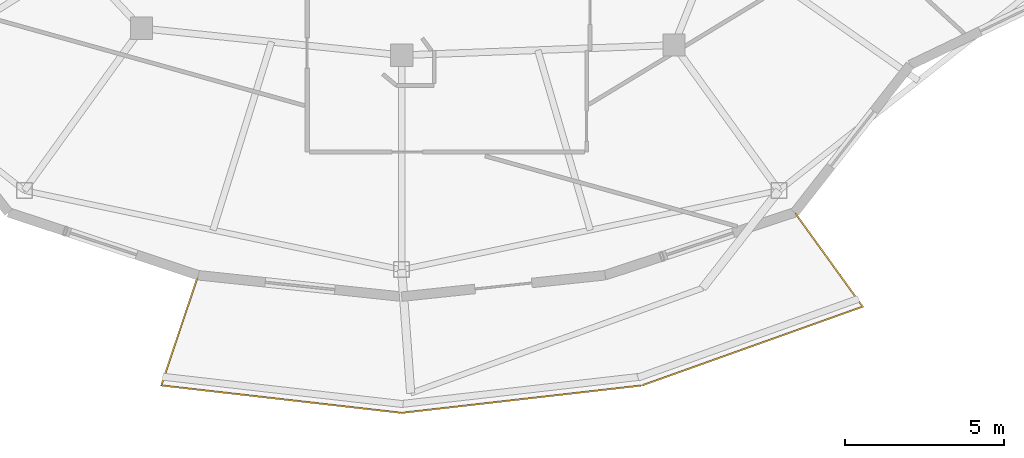
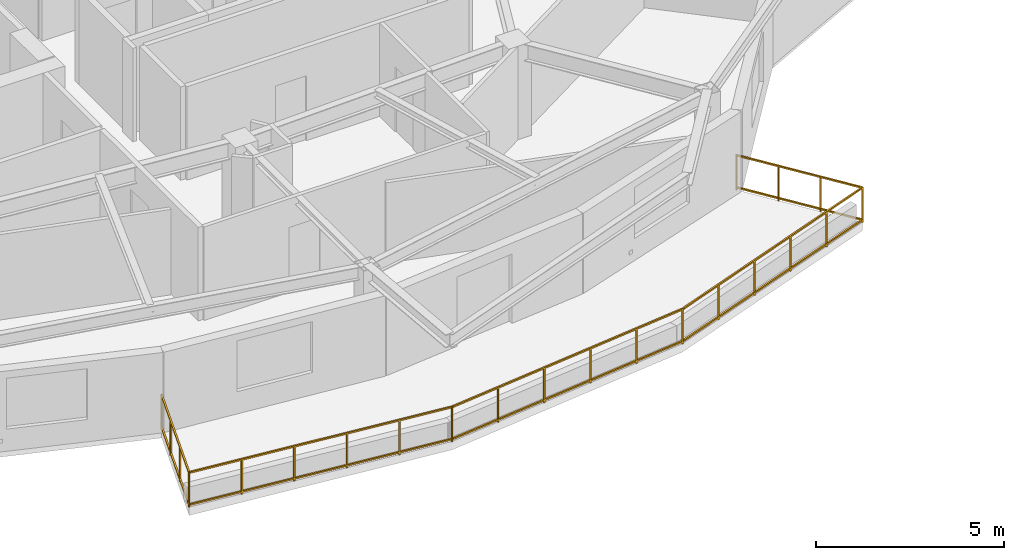
# One storey, part 11 of 14: 1 railing.
"""IFC4 building model written with IfcOpenShell, lengths in metres."""

import ifcopenshell
import ifcopenshell.guid

model = None  # the IFC model being written
_history = None  # IfcOwnerHistory: only IFC2X3 demands one
_inside = {}  # id of a spatial element -> (the spatial element, [elements in it])
_under = {}  # id of a project, library or spatial element -> (it, [spatial elements below it])
_declared = {}  # id of a project -> (the project, [libraries it declares])
_typed = {}  # id of a type object -> (the type object, [elements of that type])
_made_of = {}  # id of a material, layer set ... -> (it, [elements and type objects made of it])


def new_model(schema):
    """Start an empty IFC model of exactly this schema.

    Asked for "IFC4X3", IfcOpenShell would pick the latest addendum, in which some entities
    have other attributes; the version numbers below select the first issue.
    IFC2X3 requires an IfcOwnerHistory on every rooted entity: one is made here for all.
    """
    global model, _history
    if schema == "IFC4X3":
        model = ifcopenshell.file(schema_version=(4, 3, 0, 0))
    else:
        model = ifcopenshell.file(schema=schema)
    _inside.clear()
    _under.clear()
    _declared.clear()
    _typed.clear()
    _made_of.clear()
    _history = None
    if model.schema == "IFC2X3":
        org = make("IfcOrganization", Name="unknown")
        user = make(
            "IfcPersonAndOrganization",
            ThePerson=make("IfcPerson", FamilyName="unknown"),
            TheOrganization=org,
        )
        app = make(
            "IfcApplication",
            ApplicationDeveloper=org,
            Version="unknown",
            ApplicationFullName="unknown",
            ApplicationIdentifier="unknown",
        )
        _history = make(
            "IfcOwnerHistory",
            OwningUser=user,
            OwningApplication=app,
            ChangeAction="ADDED",
            CreationDate=0,
        )
    return model


def make(cls, **values):
    """One entity of the class cls with the attributes given. An attribute that is None is left unset."""
    return model.create_entity(
        cls, **{name: value for name, value in values.items() if value is not None}
    )


def rooted(cls, **values):
    """An entity with a GlobalId (a new one), such as an element, a storey or a relation."""
    return make(cls, GlobalId=ifcopenshell.guid.new(), OwnerHistory=_history, **values)


def si_unit(unit_type, name, prefix=None):
    """IfcSIUnit, for example si_unit("LENGTHUNIT", "METRE", prefix="MILLI")."""
    return make("IfcSIUnit", UnitType=unit_type, Prefix=prefix, Name=name)


def assignment(units):
    """IfcUnitAssignment: the units of a project."""
    return None if units is None else make("IfcUnitAssignment", Units=units)


def point(xyz):
    """IfcCartesianPoint."""
    return None if xyz is None else make("IfcCartesianPoint", Coordinates=xyz)


def direction(xyz):
    """IfcDirection."""
    return None if xyz is None else make("IfcDirection", DirectionRatios=xyz)


def frame(location, z_axis=None, x_axis=None):
    """IfcAxis2Placement3D, a coordinate frame: its origin and axes. An axis left out is left unset."""
    return make(
        "IfcAxis2Placement3D",
        Location=point(location),
        Axis=direction(z_axis),
        RefDirection=direction(x_axis),
    )


def frame_2d(location, x_axis=None):
    """IfcAxis2Placement2D, a coordinate frame in the plane: its origin and x axis."""
    return make(
        "IfcAxis2Placement2D", Location=point(location), RefDirection=direction(x_axis)
    )


def origin():
    """The frame at (0, 0, 0) with its axes left unset."""
    return frame((0.0, 0.0, 0.0))


def origin_2d():
    """The frame at (0, 0) in the plane with its x axis left unset."""
    return frame_2d((0.0, 0.0))


def place(relative_to, where):
    """IfcLocalPlacement: puts the frame where relative to a parent placement (None: the world)."""
    return make(
        "IfcLocalPlacement", PlacementRelTo=relative_to, RelativePlacement=where
    )


def context(
    kind, dimensions, precision=None, world=None, true_north=None, identifier=None
):
    """IfcGeometricRepresentationContext, for example the 3D "Model" context."""
    return make(
        "IfcGeometricRepresentationContext",
        ContextIdentifier=identifier,
        ContextType=kind,
        CoordinateSpaceDimension=dimensions,
        Precision=precision,
        WorldCoordinateSystem=world,
        TrueNorth=true_north,
    )


def subcontext(parent, identifier, kind, view, scale=None):
    """IfcGeometricRepresentationSubContext, for example "Body" below "Model"."""
    return make(
        "IfcGeometricRepresentationSubContext",
        ContextIdentifier=identifier,
        ContextType=kind,
        ParentContext=parent,
        TargetScale=scale,
        TargetView=view,
    )


def project(units=None, contexts=None):
    """IfcProject with its units and contexts."""
    return rooted(
        "IfcProject",
        Name="project",
        RepresentationContexts=contexts,
        UnitsInContext=assignment(units),
    )


def spatial(cls, under=None, at=None, **own):
    """A site, building, storey or space (cls), placed at a placement, below another one or the project."""
    s = rooted(cls, ObjectPlacement=at, **own)
    if under is not None:
        _under.setdefault(under.id(), (under, []))[1].append(s)
    return s


def profile(cls, at=None, kind="AREA", **sizes):
    """A parametric profile (cls). Its sizes go by their IFC names, for example OverallWidth=200.0."""
    return make(cls, ProfileType=kind, Position=at, **sizes)


def rectangle(**sizes):
    """IfcRectangleProfileDef."""
    return profile("IfcRectangleProfileDef", **sizes)


def extrude(swept, where, along, depth):
    """IfcExtrudedAreaSolid: the profile swept, set in the frame where, extruded along a direction by depth."""
    return make(
        "IfcExtrudedAreaSolid",
        SweptArea=swept,
        Position=where,
        ExtrudedDirection=direction(along),
        Depth=depth,
    )


def shape(context_of_items, identifier, shape_type, items):
    """IfcShapeRepresentation: the items that make up one representation, for example the "Body"."""
    return make(
        "IfcShapeRepresentation",
        ContextOfItems=context_of_items,
        RepresentationIdentifier=identifier,
        RepresentationType=shape_type,
        Items=items,
    )


def material(Name=None, Category=None):
    """IfcMaterial."""
    return make("IfcMaterial", Name=Name, Category=Category)


def made_of(thing, what):
    """Note that an element or type object is made of a material, layer set ...; save() writes the relation."""
    if what is not None:
        _made_of.setdefault(what.id(), (what, []))[1].append(thing)
    return thing


def type_object(cls, material=None, **own):
    """A type object (cls), such as IfcWallType, which elements share."""
    return made_of(rooted(cls, **own), material)


def element(
    cls,
    number,
    at=None,
    inside=None,
    cuts=None,
    type_object=None,
    material=None,
    context=None,
    identifier="Body",
    shape_type=None,
    held_by="IfcProductDefinitionShape",
    body=None,
    shapes=None,
    **own,
):
    """One element of the class cls, such as IfcWall. Its Tag is "e" and its number.

    at: its placement. inside: the storey or other place that contains it. cuts: it is an
    opening in that element (IfcRelVoidsElement). A single representation is given by context,
    identifier, shape_type and body (its items); several are given by shapes. held_by: the class
    of the entity that holds the representations. save() writes the other relations.
    """
    e = rooted(cls, Tag="e%d" % number, ObjectPlacement=at, **own)
    if body is not None:
        shapes = [shape(context, identifier, shape_type, body)]
    if shapes is not None:
        e.Representation = make(held_by, Representations=shapes)
    if inside is not None:
        _inside.setdefault(inside.id(), (inside, []))[1].append(e)
    if cuts is not None:
        rooted(
            "IfcRelVoidsElement", RelatingBuildingElement=cuts, RelatedOpeningElement=e
        )
    if type_object is not None:
        _typed.setdefault(type_object.id(), (type_object, []))[1].append(e)
    return made_of(e, material)


def aggregate(whole, parts):
    """IfcRelAggregates: a whole, such as a stair, and the parts it consists of."""
    return rooted("IfcRelAggregates", RelatingObject=whole, RelatedObjects=parts)


def save(model, path):
    """Write the relations noted so far, then the file.

    IfcRelAggregates (storeys below a building ...), IfcRelContainedInSpatialStructure (elements
    in a storey), IfcRelDefinesByType, IfcRelAssociatesMaterial and IfcRelDeclares: one each for
    every whole, place, type object, material and project.
    """
    for whole, parts in _under.values():
        aggregate(whole, parts)
    for where, things in _inside.values():
        rooted(
            "IfcRelContainedInSpatialStructure",
            RelatedElements=things,
            RelatingStructure=where,
        )
    for kind, things in _typed.values():
        rooted("IfcRelDefinesByType", RelatedObjects=things, RelatingType=kind)
    for what, things in _made_of.values():
        rooted("IfcRelAssociatesMaterial", RelatedObjects=things, RelatingMaterial=what)
    for by, libraries in _declared.values():
        rooted("IfcRelDeclares", RelatingContext=by, RelatedDefinitions=libraries)
    model.write(path)


model = new_model("IFC4")

# Units and contexts
model_context = context("Model", 3, precision=1e-05, world=origin(), true_north=direction((0.0, 1.0)))
body_context = subcontext(model_context, "Body", "Model", "MODEL_VIEW")
ifc_project = project(units=[si_unit("LENGTHUNIT", "METRE"), si_unit("AREAUNIT", "SQUARE_METRE"), si_unit("VOLUMEUNIT", "CUBIC_METRE"), si_unit("PLANEANGLEUNIT", "RADIAN"), si_unit("MASSUNIT", "GRAM", prefix="KILO")], contexts=[model_context])

# Site, building, storey
site_placement = place(None, origin())
site = spatial("IfcSite", under=ifc_project, at=site_placement, CompositionType="ELEMENT")
building_placement = place(site_placement, origin())
building = spatial("IfcBuilding", under=site, at=building_placement, Name="Kolvaren Gate Tower and Convention Centre", CompositionType="ELEMENT")
storey_placement = place(building_placement, frame((0.0, 0.0, 222.800048828125)))
storey = spatial("IfcBuildingStorey", under=building, at=storey_placement, Name="L59", CompositionType="ELEMENT", Elevation=222.800048828125)

# Railing
ifc_material = material(Name="Brushed Stainless Steel Grade 316L", Category="steel")
railing_type = type_object("IfcRailingType", Name="ARCH-RL-GUARD-1150", PredefinedType="GUARDRAIL", material=ifc_material)
railing_placement = place(storey_placement, frame((23.71923828125, 7.874755859375, 0.0)))
element("IfcRailing", 1, at=railing_placement, inside=storey, type_object=railing_type, Name="Tower L59 Terrace Perimeter Guardrail GR-3", PredefinedType="GUARDRAIL", context=body_context, shape_type="SweptSolid", body=[
    extrude(rectangle(XDim=0.048095703125, YDim=0.048095703125, at=origin_2d()), frame((-0.0087890625, -0.026611328125, 1.1259765625), z_axis=(-0.317588247294, -0.948228719867, 0.0), x_axis=(0.948228719867, -0.317588247294, 0.0)), (0.0, 0.0, 1.0), 3.603759765625),
    extrude(rectangle(XDim=0.048095703125, YDim=0.048095703125, at=origin_2d()), frame((-0.0087890625, -0.026611328125, 0.083984375), z_axis=(-0.317588247294, -0.948228719867, 0.0), x_axis=(0.948228719867, -0.317588247294, 0.0)), (0.0, 0.0, 1.0), 3.603759765625),
    extrude(rectangle(XDim=0.048095703125, YDim=0.048095703125, at=origin_2d()), frame((-1.134521484375, -3.4736328125, 1.1259765625), z_axis=(0.993542586276, -0.113459813395, 0.0), x_axis=(0.113459813395, 0.993542586276, 0.0)), (0.0, 0.0, 1.0), 7.561279296875),
    extrude(rectangle(XDim=0.048095703125, YDim=0.048095703125, at=origin_2d()), frame((-1.134521484375, -3.4736328125, 0.083984375), z_axis=(0.993542586276, -0.113459813395, 0.0), x_axis=(0.113459813395, 0.993542586276, 0.0)), (0.0, 0.0, 1.0), 7.561279296875),
    extrude(rectangle(XDim=0.048095703125, YDim=0.048095703125, at=origin_2d()), frame((6.43359375, -4.33154296875, 1.1259765625), z_axis=(0.993542586276, 0.113459813395, 0.0), x_axis=(-0.113459813395, 0.993542586276, 0.0)), (0.0, 0.0, 1.0), 7.561279296875),
    extrude(rectangle(XDim=0.048095703125, YDim=0.048095703125, at=origin_2d()), frame((6.43359375, -4.33154296875, 0.083984375), z_axis=(0.993542586276, 0.113459813395, 0.0), x_axis=(-0.113459813395, 0.993542586276, 0.0)), (0.0, 0.0, 1.0), 7.561279296875),
    extrude(rectangle(XDim=0.048095703125, YDim=0.048095703125, at=origin_2d()), frame((14.000244140625, -3.4609375, 1.1259765625), z_axis=(0.941783827204, 0.336219010197, 0.0), x_axis=(-0.336219010197, 0.941783827204, 0.0)), (0.0, 0.0, 1.0), 7.322265625),
    extrude(rectangle(XDim=0.048095703125, YDim=0.048095703125, at=origin_2d()), frame((14.000244140625, -3.4609375, 0.083984375), z_axis=(0.941783827204, 0.336219010197, 0.0), x_axis=(-0.336219010197, 0.941783827204, 0.0)), (0.0, 0.0, 1.0), 7.322265625),
    extrude(rectangle(XDim=0.048095703125, YDim=0.048095703125, at=origin_2d()), frame((20.90625, -0.967041015625, 1.1259765625), z_axis=(-0.585212870465, 0.810879705161, 0.0), x_axis=(-0.810879705161, -0.585212870465, 0.0)), (0.0, 0.0, 1.0), 3.603759765625),
    extrude(rectangle(XDim=0.048095703125, YDim=0.048095703125, at=origin_2d()), frame((20.90625, -0.967041015625, 0.083984375), z_axis=(-0.585212870465, 0.810879705161, 0.0), x_axis=(-0.810879705161, -0.585212870465, 0.0)), (0.0, 0.0, 1.0), 3.603759765625),
    extrude(rectangle(XDim=0.0419921875, YDim=0.0419921875, at=origin_2d()), origin(), (0.0, 0.0, 1.0), 1.14990234375),
    extrude(rectangle(XDim=0.0419921875, YDim=0.0419921875, at=origin_2d()), frame((-1.162353515625, -3.470458984375, 0.0)), (0.0, 0.0, 1.0), 1.14990234375),
    extrude(rectangle(XDim=0.0419921875, YDim=0.0419921875, at=origin_2d()), frame((-0.387451171875, -1.15673828125, 0.0)), (0.0, 0.0, 1.0), 1.099853515625),
    extrude(rectangle(XDim=0.0419921875, YDim=0.0419921875, at=origin_2d()), frame((-0.77490234375, -2.313720703125, 0.0)), (0.0, 0.0, 1.0), 1.099853515625),
    extrude(rectangle(XDim=0.0419921875, YDim=0.0419921875, at=origin_2d()), frame((6.40576171875, -4.334716796875, 0.0)), (0.0, 0.0, 1.0), 1.14990234375),
    extrude(rectangle(XDim=0.0419921875, YDim=0.0419921875, at=origin_2d()), frame((0.351318359375, -3.643310546875, 0.0)), (0.0, 0.0, 1.0), 1.099853515625),
    extrude(rectangle(XDim=0.0419921875, YDim=0.0419921875, at=origin_2d()), frame((1.864990234375, -3.816162109375, 0.0)), (0.0, 0.0, 1.0), 1.099853515625),
    extrude(rectangle(XDim=0.0419921875, YDim=0.0419921875, at=origin_2d()), frame((3.37841796875, -3.989013671875, 0.0)), (0.0, 0.0, 1.0), 1.099853515625),
    extrude(rectangle(XDim=0.0419921875, YDim=0.0419921875, at=origin_2d()), frame((4.89208984375, -4.161865234375, 0.0)), (0.0, 0.0, 1.0), 1.099853515625),
    extrude(rectangle(XDim=0.0419921875, YDim=0.0419921875, at=origin_2d()), frame((13.973876953125, -3.470458984375, 0.0)), (0.0, 0.0, 1.0), 1.14990234375),
    extrude(rectangle(XDim=0.0419921875, YDim=0.0419921875, at=origin_2d()), frame((7.91943359375, -4.161865234375, 0.0)), (0.0, 0.0, 1.0), 1.099853515625),
    extrude(rectangle(XDim=0.0419921875, YDim=0.0419921875, at=origin_2d()), frame((9.43310546875, -3.989013671875, 0.0)), (0.0, 0.0, 1.0), 1.099853515625),
    extrude(rectangle(XDim=0.0419921875, YDim=0.0419921875, at=origin_2d()), frame((10.946533203125, -3.816162109375, 0.0)), (0.0, 0.0, 1.0), 1.099853515625),
    extrude(rectangle(XDim=0.0419921875, YDim=0.0419921875, at=origin_2d()), frame((12.460205078125, -3.643310546875, 0.0)), (0.0, 0.0, 1.0), 1.099853515625),
    extrude(rectangle(XDim=0.0419921875, YDim=0.0419921875, at=origin_2d()), frame((20.922607421875, -0.98974609375, 0.0)), (0.0, 0.0, 1.0), 1.14990234375),
    extrude(rectangle(XDim=0.0419921875, YDim=0.0419921875, at=origin_2d()), frame((15.363525390625, -2.974365234375, 0.0)), (0.0, 0.0, 1.0), 1.099853515625),
    extrude(rectangle(XDim=0.0419921875, YDim=0.0419921875, at=origin_2d()), frame((16.75341796875, -2.478271484375, 0.0)), (0.0, 0.0, 1.0), 1.099853515625),
    extrude(rectangle(XDim=0.0419921875, YDim=0.0419921875, at=origin_2d()), frame((18.14306640625, -1.98193359375, 0.0)), (0.0, 0.0, 1.0), 1.099853515625),
    extrude(rectangle(XDim=0.0419921875, YDim=0.0419921875, at=origin_2d()), frame((19.532958984375, -1.48583984375, 0.0)), (0.0, 0.0, 1.0), 1.099853515625),
    extrude(rectangle(XDim=0.0419921875, YDim=0.0419921875, at=origin_2d()), frame((18.78076171875, 1.97802734375, 0.0)), (0.0, 0.0, 1.0), 1.14990234375),
    extrude(rectangle(XDim=0.0419921875, YDim=0.0419921875, at=origin_2d()), frame((20.208740234375, -0.00048828125, 0.0)), (0.0, 0.0, 1.0), 1.099853515625),
    extrude(rectangle(XDim=0.0419921875, YDim=0.0419921875, at=origin_2d()), frame((19.49462890625, 0.98876953125, 0.0)), (0.0, 0.0, 1.0), 1.099853515625),
])

save(model, "model.ifc")
